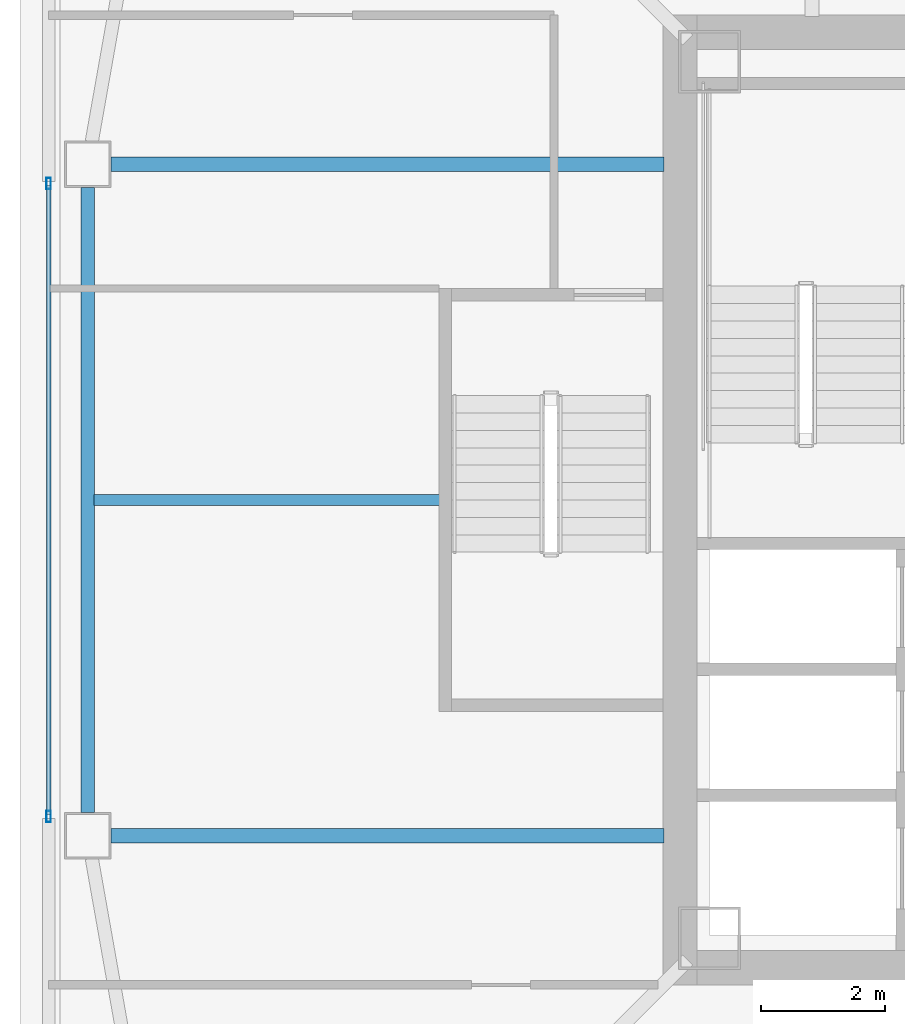
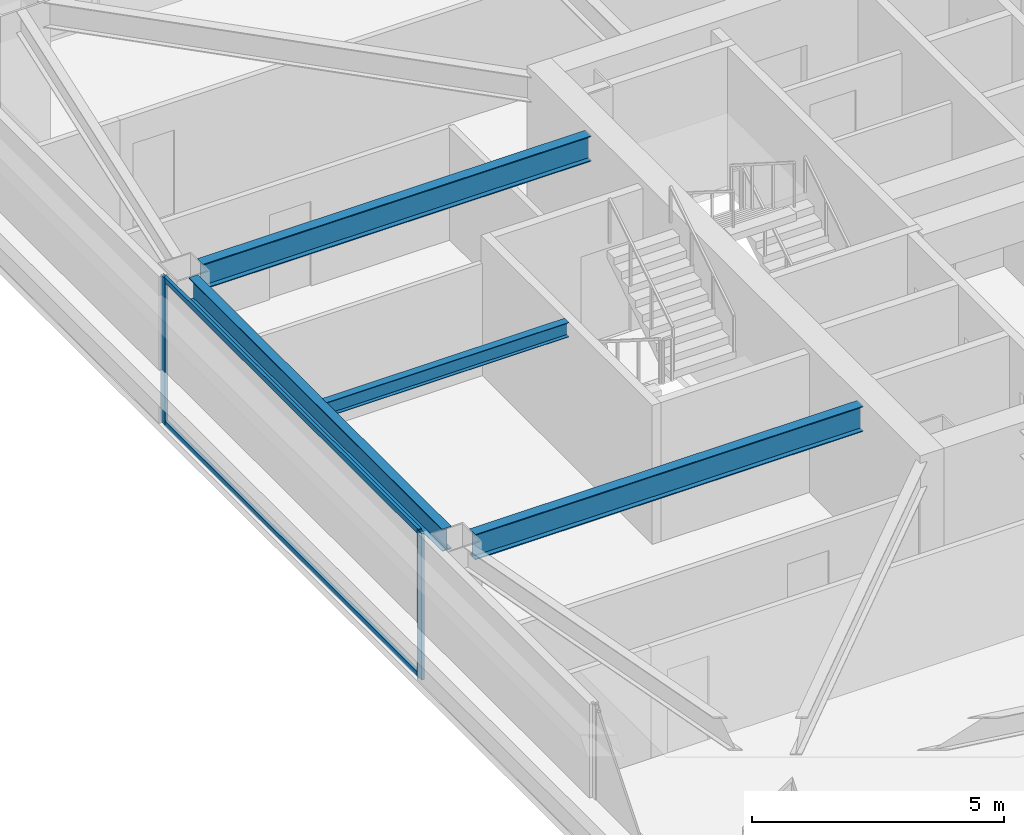
# One storey, part 7 of 41: 4 beams, 4 members, 1 element without a shape of its own.
"""IFC4 building model written with IfcOpenShell, lengths in metres."""

from ifc_helpers import new_model, si_unit, direction, frame, origin, origin_2d, place, context, subcontext, project, spatial, hollow_rectangle, i_section, extrude, material, material_profile, profile_set, type_object, element, aggregate, save


model = new_model("IFC4")

# Units and contexts
model_context = context("Model", 3, precision=1e-05, world=origin(), true_north=direction((0.0, 1.0)))
body_context = subcontext(model_context, "Body", "Model", "MODEL_VIEW")
ifc_project = project(units=[si_unit("LENGTHUNIT", "METRE"), si_unit("AREAUNIT", "SQUARE_METRE"), si_unit("VOLUMEUNIT", "CUBIC_METRE"), si_unit("PLANEANGLEUNIT", "RADIAN"), si_unit("MASSUNIT", "GRAM", prefix="KILO")], contexts=[model_context])

# Site, building, storey
site_placement = place(None, origin())
site = spatial("IfcSite", under=ifc_project, at=site_placement, CompositionType="ELEMENT")
building_placement = place(site_placement, origin())
building = spatial("IfcBuilding", under=site, at=building_placement, Name="Tashvorn Skyway Center", CompositionType="ELEMENT")
storey_placement = place(building_placement, frame((0.0, 0.0, 171.199951171875)))
storey = spatial("IfcBuildingStorey", under=building, at=storey_placement, Name="L46", CompositionType="ELEMENT", Elevation=171.199951171875)

# Beams
ifc_material_1 = material(Name="Steel ASTM A992 Grade 50", Category="steel")
ifc_material_profile_1 = material_profile(ifc_material_1, i_section(OverallWidth=0.22998046875, OverallDepth=0.616943359375, WebThickness=0.01318359375, FlangeThickness=0.022216796875, at=origin_2d()), Name="W24X94")
ifc_profile_set_1 = profile_set([ifc_material_profile_1], Name="Steel ASTM A992 Grade 50")
beam_type_1 = type_object("IfcBeamType", Name="BM-BEAM-W24X94", PredefinedType="BEAM", material=ifc_profile_set_1)
for number, where, z_axis, x_axis, name in (
    (1, (25.320068359375, 37.39990234375, 3.0615234375), (1.0, 0.0, 0.0), (0.0, 1.0, 0.0), "Tower 1 L46 Primary Floor Girder FC-W1"),
    (2, (25.320068359375, 26.60009765625, 3.0615234375), (1.0, 0.0, 0.0), (0.0, 1.0, 0.0), "Tower 1 L46 Primary Floor Girder FC-W2"),
):
    element("IfcBeam", number, at=place(storey_placement, frame(where, z_axis=z_axis, x_axis=x_axis)), inside=storey, type_object=beam_type_1, Name=name, PredefinedType="BEAM", context=body_context, shape_type="SweptSolid", body=[
        extrude(i_section(OverallWidth=0.22998046875, OverallDepth=0.616943359375, WebThickness=0.01318359375, FlangeThickness=0.022216796875, at=origin_2d()), origin(), (0.0, 0.0, 1.0), 8.89990234375),
    ])
ifc_material_profile_2 = material_profile(ifc_material_1, i_section(OverallWidth=0.1708984375, OverallDepth=0.35498046875, WebThickness=0.007080078125, FlangeThickness=0.01171875, at=origin_2d()), Name="W14X34")
ifc_profile_set_2 = profile_set([ifc_material_profile_2], Name="Steel ASTM A992 Grade 50")
beam_type_2 = type_object("IfcBeamType", Name="BM-JOIST-W14X34", PredefinedType="JOIST", material=ifc_profile_set_2)
beam_1_placement = place(storey_placement, frame((30.610107421875, 32.0, 3.192626953125), z_axis=(-1.0, 0.0, 0.0), x_axis=(0.0, -1.0, 0.0)))
element("IfcBeam", 3, at=beam_1_placement, inside=storey, type_object=beam_type_2, Name="Tower 1 L46 Secondary Composite Joist JW", PredefinedType="JOIST", context=body_context, shape_type="SweptSolid", body=[
    extrude(i_section(OverallWidth=0.1708984375, OverallDepth=0.35498046875, WebThickness=0.007080078125, FlangeThickness=0.01171875, at=origin_2d()), origin(), (0.0, 0.0, 1.0), 5.5625),
])
ifc_material_profile_3 = material_profile(ifc_material_1, i_section(OverallWidth=0.2109375, OverallDepth=0.5390625, WebThickness=0.01171875, FlangeThickness=0.018798828125, at=origin_2d()), Name="W21X73")
ifc_profile_set_3 = profile_set([ifc_material_profile_3], Name="Steel ASTM A992 Grade 50")
beam_type_3 = type_object("IfcBeamType", Name="BM-SPANDREL-W21X73", PredefinedType="SPANDREL", material=ifc_profile_set_3)
beam_2_placement = place(storey_placement, frame((24.949951171875, 37.030029296875, 3.1005859375), z_axis=(0.0, -1.0, 0.0), x_axis=(1.0, 0.0, 0.0)))
element("IfcBeam", 4, at=beam_2_placement, inside=storey, type_object=beam_type_3, Name="Tower 1 L46 Spandrel Beam 11", PredefinedType="SPANDREL", context=body_context, shape_type="SweptSolid", body=[
    extrude(i_section(OverallWidth=0.2109375, OverallDepth=0.5390625, WebThickness=0.01171875, FlangeThickness=0.018798828125, at=origin_2d()), origin(), (0.0, 0.0, 1.0), 10.06005859375),
])

# Curtain wall, members
ifc_material_2 = material(Name="Thermally broken bronze-anodized aluminium 6063-T6", Category="aluminium")
curtain_wall_type = type_object("IfcCurtainWallType", Name="CW-CW-Z4", PredefinedType="NOTDEFINED", material=ifc_material_2)
curtain_wall_placement = place(storey_placement, origin())
curtain_wall = element("IfcCurtainWall", 5, at=curtain_wall_placement, inside=storey, type_object=curtain_wall_type, Name="Tower 1 L46 West Unitised Curtain Wall Glazing Group 2", PredefinedType="NOTDEFINED")
ifc_material_profile_4 = material_profile(ifc_material_2, hollow_rectangle(XDim=0.070068359375, YDim=0.179931640625, WallThickness=0.00390625, at=origin_2d()), Name="ALU-MULL-70x180")
ifc_profile_set_4 = profile_set([ifc_material_profile_4], Name="Thermally broken bronze-anodized aluminium 6063-T6")
member_type_1 = type_object("IfcMemberType", Name="CWM-CW-Z4", PredefinedType="MULLION", material=ifc_profile_set_4)
member_1_placement = place(storey_placement, frame((24.320068359375, 26.908203125, 0.0), z_axis=(0.0, 0.0, 1.0), x_axis=(-1.0, 0.0, 0.0)))
member_1 = element("IfcMember", 6, at=member_1_placement, type_object=member_type_1, Name="CW-Z4 mullion 1", PredefinedType="MULLION", context=body_context, shape_type="SweptSolid", body=[
    extrude(hollow_rectangle(XDim=0.070068359375, YDim=0.179931640625, WallThickness=0.00390625, at=origin_2d()), origin(), (0.0, 0.0, 1.0), 3.550048828125),
])
member_2_placement = place(storey_placement, frame((24.320068359375, 37.091796875, 0.0), z_axis=(0.0, 0.0, 1.0), x_axis=(-1.0, 0.0, 0.0)))
member_2 = element("IfcMember", 7, at=member_2_placement, type_object=member_type_1, Name="CW-Z4 mullion 2", PredefinedType="MULLION", context=body_context, shape_type="SweptSolid", body=[
    extrude(hollow_rectangle(XDim=0.070068359375, YDim=0.179931640625, WallThickness=0.00390625, at=origin_2d()), origin(), (0.0, 0.0, 1.0), 3.550048828125),
])
ifc_material_profile_5 = material_profile(ifc_material_2, hollow_rectangle(XDim=0.070068359375, YDim=0.1298828125, WallThickness=0.00390625, at=origin_2d()), Name="ALU-TRAN-70x130")
ifc_profile_set_5 = profile_set([ifc_material_profile_5], Name="Thermally broken bronze-anodized aluminium 6063-T6")
member_type_2 = type_object("IfcMemberType", Name="CWT-CW-Z4", PredefinedType="USERDEFINED", material=ifc_profile_set_5)
member_3_placement = place(storey_placement, frame((24.320068359375, 26.943359375, 0.03515625), z_axis=(0.0, 1.0, 0.0), x_axis=(-1.0, 0.0, 0.0)))
member_3 = element("IfcMember", 8, at=member_3_placement, type_object=member_type_2, Name="CW-Z4 transom 1.1", ObjectType="TRANSOM", PredefinedType="USERDEFINED", context=body_context, shape_type="SweptSolid", body=[
    extrude(hollow_rectangle(XDim=0.070068359375, YDim=0.1298828125, WallThickness=0.00390625, at=origin_2d()), origin(), (0.0, 0.0, 1.0), 10.11328125),
])
member_4_placement = place(storey_placement, frame((24.320068359375, 26.943359375, 3.51513671875), z_axis=(0.0, 1.0, 0.0), x_axis=(-1.0, 0.0, 0.0)))
member_4 = element("IfcMember", 9, at=member_4_placement, type_object=member_type_2, Name="CW-Z4 transom 1.2", ObjectType="TRANSOM", PredefinedType="USERDEFINED", context=body_context, shape_type="SweptSolid", body=[
    extrude(hollow_rectangle(XDim=0.070068359375, YDim=0.1298828125, WallThickness=0.00390625, at=origin_2d()), origin(), (0.0, 0.0, 1.0), 10.11328125),
])
aggregate(curtain_wall, [member_1, member_2, member_3, member_4])

save(model, "model.ifc")
